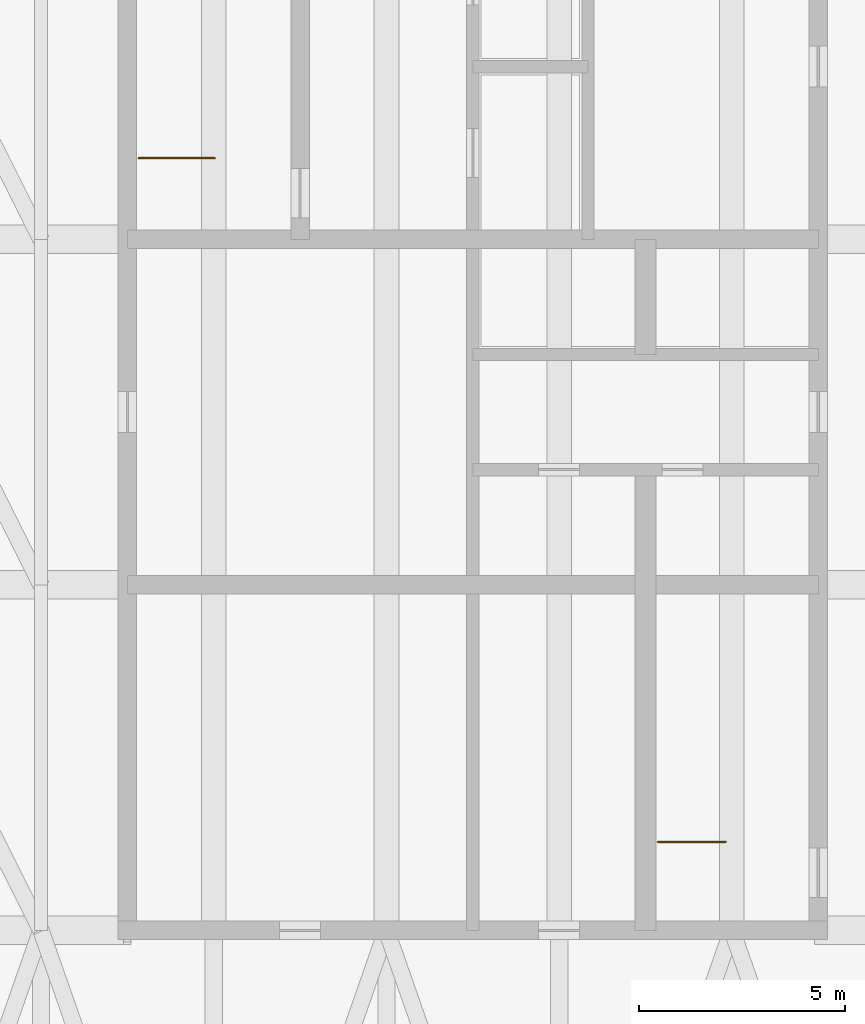
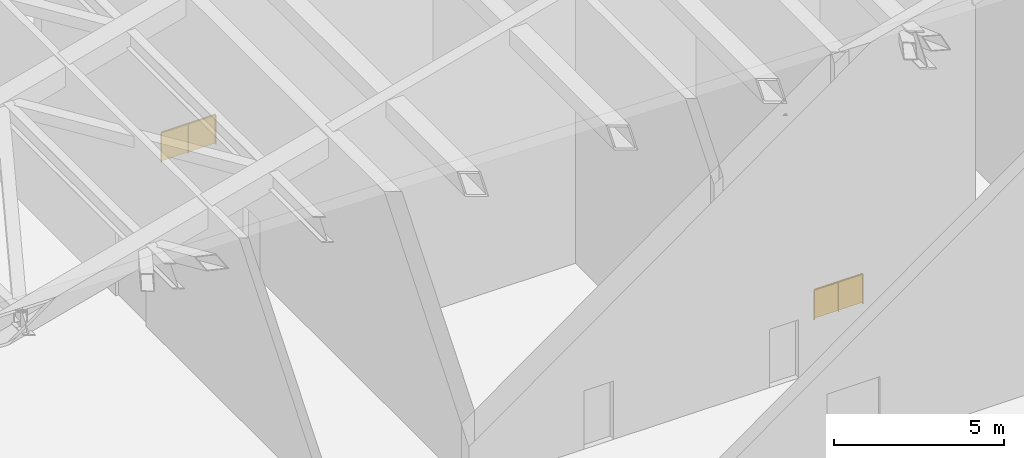
# One storey, part 5 of 5: 2 railings.
"""IFC4 building model written with IfcOpenShell, lengths in metres."""

from ifc_helpers import new_model, si_unit, direction, frame, origin, origin_2d, place, context, subcontext, project, spatial, polyline, circle, outline, extrude, material, type_object, element, save


model = new_model("IFC4")

# Units and contexts
model_context = context("Model", 3, precision=1e-05, world=origin(), true_north=direction((0.0, 1.0)))
body_context = subcontext(model_context, "Body", "Model", "MODEL_VIEW")
ifc_project = project(units=[si_unit("LENGTHUNIT", "METRE"), si_unit("AREAUNIT", "SQUARE_METRE"), si_unit("VOLUMEUNIT", "CUBIC_METRE"), si_unit("PLANEANGLEUNIT", "RADIAN"), si_unit("MASSUNIT", "GRAM", prefix="KILO")], contexts=[model_context])

# Site, building, storey
site_placement = place(None, origin())
site = spatial("IfcSite", under=ifc_project, at=site_placement, CompositionType="ELEMENT")
building_placement = place(site_placement, origin())
building = spatial("IfcBuilding", under=site, at=building_placement, Name="Dunama Terrace Hotel", CompositionType="ELEMENT")
storey_placement = place(building_placement, frame((0.0, 0.0, 293.60009765625)))
storey = spatial("IfcBuildingStorey", under=building, at=storey_placement, Name="L75", CompositionType="ELEMENT", Elevation=293.60009765625)

# Railings
ifc_material = material(Name="Stainless steel and laminated glass guard", Category="steel")
railing_type = type_object("IfcRailingType", Name="Guard 1100", PredefinedType="GUARDRAIL", material=ifc_material)
railing_1_placement = place(storey_placement, frame((25.47509765625, 35.574951171875, 0.0)))
element("IfcRailing", 1, at=railing_1_placement, inside=storey, type_object=railing_type, Name="Stair well guard ST1 L75", PredefinedType="GUARDRAIL", context=body_context, shape_type="SweptSolid", body=[
    extrude(circle(Radius=0.02392578125, at=origin_2d()), frame((0.0, 0.0, 1.076171875), z_axis=(1.0, 0.0, 0.0), x_axis=(0.0, 1.0, 0.0)), (0.0, 0.0, 1.0), 1.849853515625),
    extrude(circle(Radius=0.02099609375, at=origin_2d()), origin(), (0.0, 0.0, 1.0), 1.052001953125),
    extrude(circle(Radius=0.02099609375, at=origin_2d()), frame((0.9248046875, 0.0, 0.0)), (0.0, 0.0, 1.0), 1.052001953125),
    extrude(circle(Radius=0.02099609375, at=origin_2d()), frame((1.849853515625, 0.0, 0.0)), (0.0, 0.0, 1.0), 1.052001953125),
    extrude(outline(polyline([(0.0048828125, 0.050048828125), (0.919921875, 0.050048828125), (0.919921875, 1.076171875), (0.0048828125, 1.076171875), (0.0048828125, 0.050048828125)])), frame((0.0, 0.0087890625, 0.0), z_axis=(0.0, -1.0, 0.0), x_axis=(1.0, 0.0, 0.0)), (0.0, 0.0, 1.0), 0.017578125),
    extrude(outline(polyline([(0.0048828125, 0.050048828125), (0.919921875, 0.050048828125), (0.919921875, 1.076171875), (0.0048828125, 1.076171875), (0.0048828125, 0.050048828125)])), frame((0.9248046875, 0.0087890625, 0.0), z_axis=(0.0, -1.0, 0.0), x_axis=(1.0, 0.0, 0.0)), (0.0, 0.0, 1.0), 0.017578125),
])
railing_2_placement = place(storey_placement, frame((38.10009765625, 18.949951171875, 0.0)))
element("IfcRailing", 2, at=railing_2_placement, inside=storey, type_object=railing_type, Name="Stair well guard ST2 L75", PredefinedType="GUARDRAIL", context=body_context, shape_type="SweptSolid", body=[
    extrude(circle(Radius=0.02392578125, at=origin_2d()), frame((0.0, 0.0, 1.076171875), z_axis=(1.0, 0.0, 0.0), x_axis=(0.0, 1.0, 0.0)), (0.0, 0.0, 1.0), 1.64990234375),
    extrude(circle(Radius=0.02099609375, at=origin_2d()), origin(), (0.0, 0.0, 1.0), 1.052001953125),
    extrude(circle(Radius=0.02099609375, at=origin_2d()), frame((0.824951171875, 0.0, 0.0)), (0.0, 0.0, 1.0), 1.052001953125),
    extrude(circle(Radius=0.02099609375, at=origin_2d()), frame((1.64990234375, 0.0, 0.0)), (0.0, 0.0, 1.0), 1.052001953125),
    extrude(outline(polyline([(0.0048828125, 0.050048828125), (0.820068359375, 0.050048828125), (0.820068359375, 1.076171875), (0.0048828125, 1.076171875), (0.0048828125, 0.050048828125)])), frame((0.0, 0.0087890625, 0.0), z_axis=(0.0, -1.0, 0.0), x_axis=(1.0, 0.0, 0.0)), (0.0, 0.0, 1.0), 0.017578125),
    extrude(outline(polyline([(0.0048828125, 0.050048828125), (0.820068359375, 0.050048828125), (0.820068359375, 1.076171875), (0.0048828125, 1.076171875), (0.0048828125, 0.050048828125)])), frame((0.824951171875, 0.0087890625, 0.0), z_axis=(0.0, -1.0, 0.0), x_axis=(1.0, 0.0, 0.0)), (0.0, 0.0, 1.0), 0.017578125),
])

save(model, "model.ifc")
